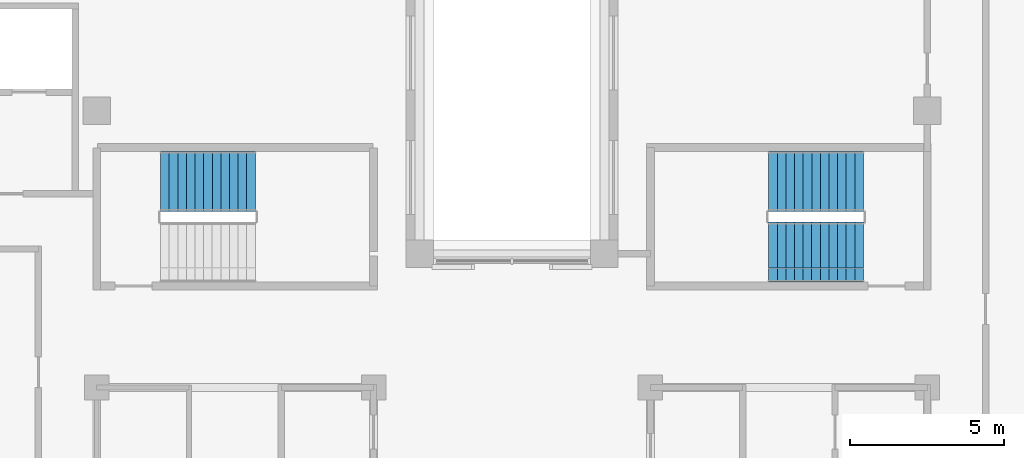
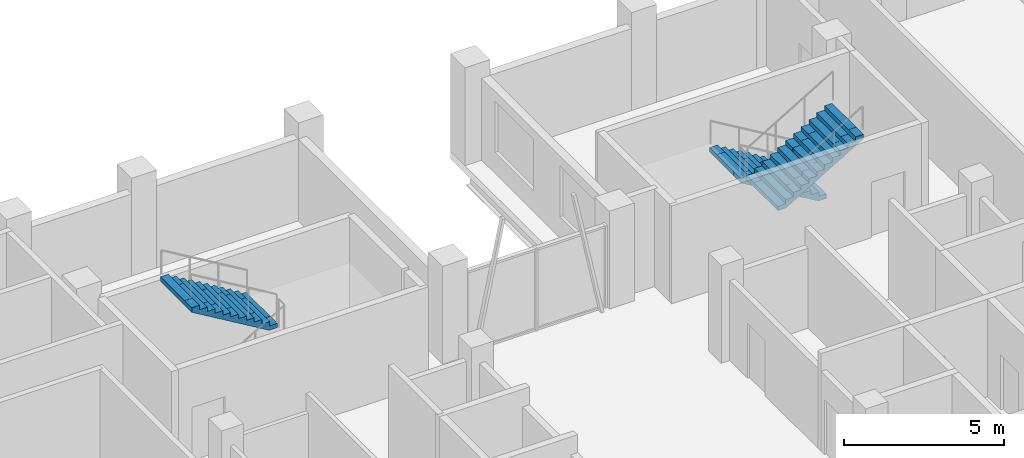
# One storey, part 12 of 13: 3 stair flights, 2 elements without a shape of their own.
"""IFC4 building model written with IfcOpenShell, lengths in metres."""

from ifc_helpers import new_model, si_unit, direction, frame, origin, place, context, subcontext, project, spatial, polyline, outline, extrude, material, type_object, element, aggregate, save


model = new_model("IFC4")

# Units and contexts
model_context = context("Model", 3, precision=1e-05, world=origin(), true_north=direction((0.0, 1.0)))
body_context = subcontext(model_context, "Body", "Model", "MODEL_VIEW")
ifc_project = project(units=[si_unit("LENGTHUNIT", "METRE"), si_unit("AREAUNIT", "SQUARE_METRE"), si_unit("VOLUMEUNIT", "CUBIC_METRE"), si_unit("PLANEANGLEUNIT", "RADIAN"), si_unit("MASSUNIT", "GRAM", prefix="KILO")], contexts=[model_context])

# Site, building, storey
site_placement = place(None, origin())
site = spatial("IfcSite", under=ifc_project, at=site_placement, CompositionType="ELEMENT")
building_placement = place(site_placement, origin())
building = spatial("IfcBuilding", under=site, at=building_placement, Name="Corbelhall Arena Tower", CompositionType="ELEMENT")
storey_placement = place(building_placement, frame((0.0, 0.0, 286.0)))
storey = spatial("IfcBuildingStorey", under=building, at=storey_placement, Name="L62", CompositionType="ELEMENT", Elevation=286.0)

# Stair, stair flight
ifc_material = material(Name="Concrete C40/50", Category="concrete")
stair_type = type_object("IfcStairType", Name="IN-ST-TOWER", PredefinedType="HALF_TURN_STAIR", material=ifc_material)
stair_1_placement = place(storey_placement, origin())
stair_1 = element("IfcStair", 1, at=stair_1_placement, inside=storey, type_object=stair_type, Name="L62 Exit stair ST1", PredefinedType="HALF_TURN_STAIR")
stair_flight_type = type_object("IfcStairFlightType", Name="IN-SFL-RC", PredefinedType="STRAIGHT", material=ifc_material)
stair_flight_1_placement = place(storey_placement, frame((-8.344970703125, 15.699951171875, 2.0), z_axis=(0.0, 0.0, 1.0), x_axis=(-1.0, 0.0, 0.0)))
stair_flight_1 = element("IfcStairFlight", 2, at=stair_flight_1_placement, type_object=stair_flight_type, Name="ST1 flight 2", NumberOfRisers=12, NumberOfTreads=11, PredefinedType="STRAIGHT", RiserHeight=0.166666667, TreadLength=0.28, context=body_context, shape_type="SweptSolid", body=[
    extrude(outline(polyline([(0.0, 0.0), (0.0, 0.166748046875), (0.280029296875, 0.166748046875), (0.280029296875, 0.333251953125), (0.56005859375, 0.333251953125), (0.56005859375, 0.5), (0.840087890625, 0.5), (0.840087890625, 0.666748046875), (1.1201171875, 0.666748046875), (1.1201171875, 0.833251953125), (1.39990234375, 0.833251953125), (1.39990234375, 1.0), (1.679931640625, 1.0), (1.679931640625, 1.166748046875), (1.9599609375, 1.166748046875), (1.9599609375, 1.333251953125), (2.239990234375, 1.333251953125), (2.239990234375, 1.5), (2.52001953125, 1.5), (2.52001953125, 1.666748046875), (2.800048828125, 1.666748046875), (2.800048828125, 1.833251953125), (3.080078125, 1.833251953125), (3.080078125, 2.0), (3.080078125, 1.658935546875), (0.29296875, 0.0), (0.0, 0.0)])), frame((0.0, 0.97509765625, 0.0), z_axis=(0.0, -1.0, 0.0), x_axis=(1.0, 0.0, 0.0)), (0.0, 0.0, 1.0), 0.449951171875),
    extrude(outline(polyline([(0.0, 0.0), (0.0, 0.166748046875), (0.280029296875, 0.166748046875), (0.280029296875, 0.333251953125), (0.56005859375, 0.333251953125), (0.56005859375, 0.5), (0.840087890625, 0.5), (0.840087890625, 0.666748046875), (1.1201171875, 0.666748046875), (1.1201171875, 0.833251953125), (1.39990234375, 0.833251953125), (1.39990234375, 1.0), (1.679931640625, 1.0), (1.679931640625, 1.166748046875), (1.9599609375, 1.166748046875), (1.9599609375, 1.333251953125), (2.239990234375, 1.333251953125), (2.239990234375, 1.5), (2.52001953125, 1.5), (2.52001953125, 1.666748046875), (2.800048828125, 1.666748046875), (2.800048828125, 1.833251953125), (3.080078125, 1.833251953125), (3.080078125, 2.0), (3.080078125, 1.658935546875), (0.29296875, 0.0), (0.0, 0.0)])), frame((0.0, 0.52099609375, 0.0), z_axis=(0.0, -1.0, 0.0), x_axis=(1.0, 0.0, 0.0)), (0.0, 0.0, 1.0), 1.0419921875),
    extrude(outline(polyline([(0.0, 0.0), (0.0, 0.166748046875), (0.280029296875, 0.166748046875), (0.280029296875, 0.333251953125), (0.56005859375, 0.333251953125), (0.56005859375, 0.5), (0.840087890625, 0.5), (0.840087890625, 0.666748046875), (1.1201171875, 0.666748046875), (1.1201171875, 0.833251953125), (1.39990234375, 0.833251953125), (1.39990234375, 1.0), (1.679931640625, 1.0), (1.679931640625, 1.166748046875), (1.9599609375, 1.166748046875), (1.9599609375, 1.333251953125), (2.239990234375, 1.333251953125), (2.239990234375, 1.5), (2.52001953125, 1.5), (2.52001953125, 1.666748046875), (2.800048828125, 1.666748046875), (2.800048828125, 1.833251953125), (3.080078125, 1.833251953125), (3.080078125, 2.0), (3.080078125, 1.658935546875), (0.29296875, 0.0), (0.0, 0.0)])), frame((0.0, -0.52490234375, 0.0), z_axis=(0.0, -1.0, 0.0), x_axis=(1.0, 0.0, 0.0)), (0.0, 0.0, 1.0), 0.449951171875),
])
aggregate(stair_1, [stair_flight_1])

# Stair, stair flights
stair_2_placement = place(storey_placement, origin())
stair_2 = element("IfcStair", 3, at=stair_2_placement, inside=storey, type_object=stair_type, Name="L62 Exit stair ST3", PredefinedType="HALF_TURN_STAIR")
stair_flight_2_placement = place(storey_placement, frame((11.425048828125, 15.699951171875, 0.0), z_axis=(0.0, 0.0, 1.0), x_axis=(-1.0, 0.0, 0.0)))
stair_flight_2 = element("IfcStairFlight", 4, at=stair_flight_2_placement, type_object=stair_flight_type, Name="ST3 flight 1", NumberOfRisers=12, NumberOfTreads=11, PredefinedType="STRAIGHT", RiserHeight=0.166666667, TreadLength=0.28, context=body_context, shape_type="SweptSolid", body=[
    extrude(outline(polyline([(0.0, 0.0), (0.0, 0.166748046875), (0.280029296875, 0.166748046875), (0.280029296875, 0.333251953125), (0.56005859375, 0.333251953125), (0.56005859375, 0.5), (0.840087890625, 0.5), (0.840087890625, 0.666748046875), (1.1201171875, 0.666748046875), (1.1201171875, 0.833251953125), (1.39990234375, 0.833251953125), (1.39990234375, 1.0), (1.679931640625, 1.0), (1.679931640625, 1.166748046875), (1.9599609375, 1.166748046875), (1.9599609375, 1.333251953125), (2.239990234375, 1.333251953125), (2.239990234375, 1.5), (2.52001953125, 1.5), (2.52001953125, 1.666748046875), (2.800048828125, 1.666748046875), (2.800048828125, 1.833251953125), (3.080078125, 1.833251953125), (3.080078125, 2.0), (3.080078125, 1.658935546875), (0.29296875, 0.0), (0.0, 0.0)])), frame((0.0, 0.97509765625, 0.0), z_axis=(0.0, -1.0, 0.0), x_axis=(1.0, 0.0, 0.0)), (0.0, 0.0, 1.0), 0.449951171875),
    extrude(outline(polyline([(0.0, 0.0), (0.0, 0.166748046875), (0.280029296875, 0.166748046875), (0.280029296875, 0.333251953125), (0.56005859375, 0.333251953125), (0.56005859375, 0.5), (0.840087890625, 0.5), (0.840087890625, 0.666748046875), (1.1201171875, 0.666748046875), (1.1201171875, 0.833251953125), (1.39990234375, 0.833251953125), (1.39990234375, 1.0), (1.679931640625, 1.0), (1.679931640625, 1.166748046875), (1.9599609375, 1.166748046875), (1.9599609375, 1.333251953125), (2.239990234375, 1.333251953125), (2.239990234375, 1.5), (2.52001953125, 1.5), (2.52001953125, 1.666748046875), (2.800048828125, 1.666748046875), (2.800048828125, 1.833251953125), (3.080078125, 1.833251953125), (3.080078125, 2.0), (3.080078125, 1.658935546875), (0.29296875, 0.0), (0.0, 0.0)])), frame((0.0, 0.52099609375, 0.0), z_axis=(0.0, -1.0, 0.0), x_axis=(1.0, 0.0, 0.0)), (0.0, 0.0, 1.0), 1.0419921875),
    extrude(outline(polyline([(0.0, 0.0), (0.0, 0.166748046875), (0.280029296875, 0.166748046875), (0.280029296875, 0.333251953125), (0.56005859375, 0.333251953125), (0.56005859375, 0.5), (0.840087890625, 0.5), (0.840087890625, 0.666748046875), (1.1201171875, 0.666748046875), (1.1201171875, 0.833251953125), (1.39990234375, 0.833251953125), (1.39990234375, 1.0), (1.679931640625, 1.0), (1.679931640625, 1.166748046875), (1.9599609375, 1.166748046875), (1.9599609375, 1.333251953125), (2.239990234375, 1.333251953125), (2.239990234375, 1.5), (2.52001953125, 1.5), (2.52001953125, 1.666748046875), (2.800048828125, 1.666748046875), (2.800048828125, 1.833251953125), (3.080078125, 1.833251953125), (3.080078125, 2.0), (3.080078125, 1.658935546875), (0.29296875, 0.0), (0.0, 0.0)])), frame((0.0, -0.52490234375, 0.0), z_axis=(0.0, -1.0, 0.0), x_axis=(1.0, 0.0, 0.0)), (0.0, 0.0, 1.0), 0.449951171875),
])
stair_flight_3_placement = place(storey_placement, frame((8.344970703125, 13.39990234375, 2.0), z_axis=(0.0, 0.0, 1.0), x_axis=(1.0, 0.0, 0.0)))
stair_flight_3 = element("IfcStairFlight", 5, at=stair_flight_3_placement, type_object=stair_flight_type, Name="ST3 flight 2", NumberOfRisers=12, NumberOfTreads=11, PredefinedType="STRAIGHT", RiserHeight=0.166666667, TreadLength=0.28, context=body_context, shape_type="SweptSolid", body=[
    extrude(outline(polyline([(0.0, 0.0), (0.0, 0.166748046875), (0.280029296875, 0.166748046875), (0.280029296875, 0.333251953125), (0.56005859375, 0.333251953125), (0.56005859375, 0.5), (0.840087890625, 0.5), (0.840087890625, 0.666748046875), (1.1201171875, 0.666748046875), (1.1201171875, 0.833251953125), (1.39990234375, 0.833251953125), (1.39990234375, 1.0), (1.679931640625, 1.0), (1.679931640625, 1.166748046875), (1.9599609375, 1.166748046875), (1.9599609375, 1.333251953125), (2.239990234375, 1.333251953125), (2.239990234375, 1.5), (2.52001953125, 1.5), (2.52001953125, 1.666748046875), (2.800048828125, 1.666748046875), (2.800048828125, 1.833251953125), (3.080078125, 1.833251953125), (3.080078125, 2.0), (3.080078125, 1.658935546875), (0.29296875, 0.0), (0.0, 0.0)])), frame((0.0, 0.97509765625, 0.0), z_axis=(0.0, -1.0, 0.0), x_axis=(1.0, 0.0, 0.0)), (0.0, 0.0, 1.0), 0.449951171875),
    extrude(outline(polyline([(0.0, 0.0), (0.0, 0.166748046875), (0.280029296875, 0.166748046875), (0.280029296875, 0.333251953125), (0.56005859375, 0.333251953125), (0.56005859375, 0.5), (0.840087890625, 0.5), (0.840087890625, 0.666748046875), (1.1201171875, 0.666748046875), (1.1201171875, 0.833251953125), (1.39990234375, 0.833251953125), (1.39990234375, 1.0), (1.679931640625, 1.0), (1.679931640625, 1.166748046875), (1.9599609375, 1.166748046875), (1.9599609375, 1.333251953125), (2.239990234375, 1.333251953125), (2.239990234375, 1.5), (2.52001953125, 1.5), (2.52001953125, 1.666748046875), (2.800048828125, 1.666748046875), (2.800048828125, 1.833251953125), (3.080078125, 1.833251953125), (3.080078125, 2.0), (3.080078125, 1.658935546875), (0.29296875, 0.0), (0.0, 0.0)])), frame((0.0, 0.52099609375, 0.0), z_axis=(0.0, -1.0, 0.0), x_axis=(1.0, 0.0, 0.0)), (0.0, 0.0, 1.0), 1.0419921875),
    extrude(outline(polyline([(0.0, 0.0), (0.0, 0.166748046875), (0.280029296875, 0.166748046875), (0.280029296875, 0.333251953125), (0.56005859375, 0.333251953125), (0.56005859375, 0.5), (0.840087890625, 0.5), (0.840087890625, 0.666748046875), (1.1201171875, 0.666748046875), (1.1201171875, 0.833251953125), (1.39990234375, 0.833251953125), (1.39990234375, 1.0), (1.679931640625, 1.0), (1.679931640625, 1.166748046875), (1.9599609375, 1.166748046875), (1.9599609375, 1.333251953125), (2.239990234375, 1.333251953125), (2.239990234375, 1.5), (2.52001953125, 1.5), (2.52001953125, 1.666748046875), (2.800048828125, 1.666748046875), (2.800048828125, 1.833251953125), (3.080078125, 1.833251953125), (3.080078125, 2.0), (3.080078125, 1.658935546875), (0.29296875, 0.0), (0.0, 0.0)])), frame((0.0, -0.52490234375, 0.0), z_axis=(0.0, -1.0, 0.0), x_axis=(1.0, 0.0, 0.0)), (0.0, 0.0, 1.0), 0.449951171875),
])
aggregate(stair_2, [stair_flight_2, stair_flight_3])

save(model, "model.ifc")
